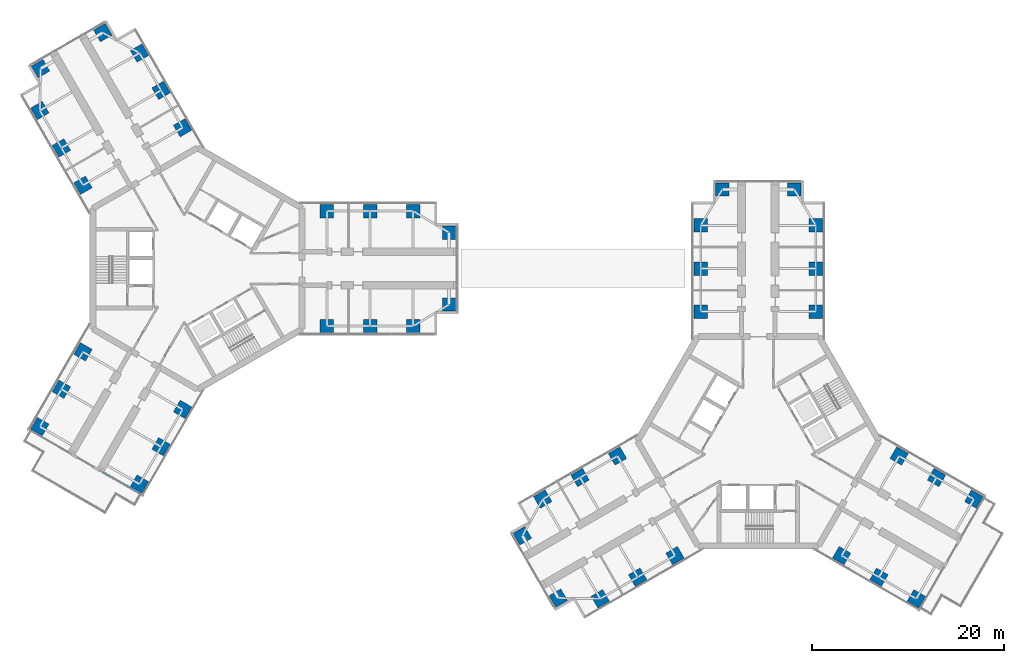
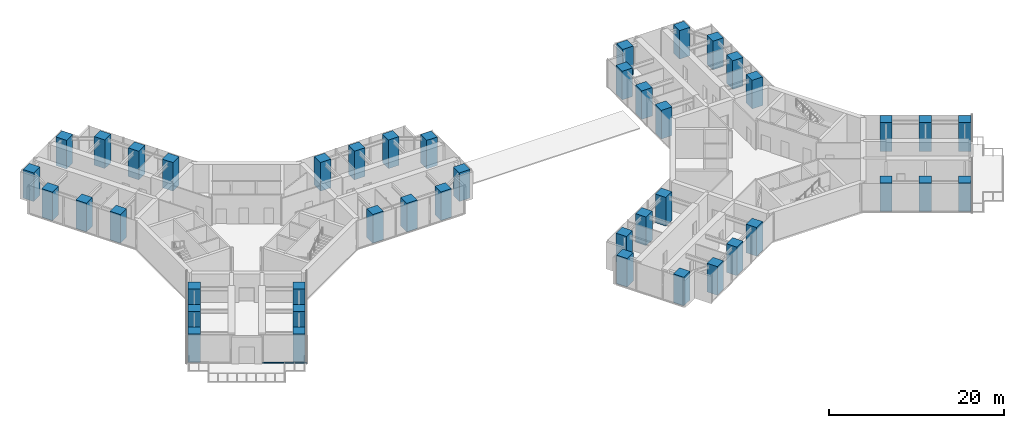
# One storey, part 1 of 22: 44 columns, 1 member, 1 element without a shape of its own.
"""IFC4 building model written with IfcOpenShell, lengths in metres."""

from ifc_helpers import new_model, si_unit, direction, frame, origin, origin_2d, place, context, subcontext, project, spatial, rectangle, extrude, material, material_profile, profile_set, type_object, element, aggregate, save


model = new_model("IFC4")

# Units and contexts
model_context = context("Model", 3, precision=1e-05, world=origin(), true_north=direction((0.0, 1.0)))
body_context = subcontext(model_context, "Body", "Model", "MODEL_VIEW")
ifc_project = project(units=[si_unit("LENGTHUNIT", "METRE"), si_unit("AREAUNIT", "SQUARE_METRE"), si_unit("VOLUMEUNIT", "CUBIC_METRE"), si_unit("PLANEANGLEUNIT", "RADIAN"), si_unit("MASSUNIT", "GRAM", prefix="KILO")], contexts=[model_context])

# Site, building, storey
site_placement = place(None, origin())
site = spatial("IfcSite", under=ifc_project, at=site_placement, CompositionType="ELEMENT")
building_placement = place(site_placement, origin())
building = spatial("IfcBuilding", under=site, at=building_placement, Name="Upepo Twin Towers", CompositionType="ELEMENT")
storey_placement = place(building_placement, frame((0.0, 0.0, 97.5)))
storey = spatial("IfcBuildingStorey", under=building, at=storey_placement, Name="L23", CompositionType="ELEMENT", Elevation=97.5)

# Columns
ifc_material_1 = material(Name="Concrete C60/75", Category="concrete")
ifc_material_profile_1 = material_profile(ifc_material_1, rectangle(XDim=1.39990234375, YDim=1.39990234375, at=origin_2d()), Name="RC 1400x1400")
ifc_profile_set_1 = profile_set([ifc_material_profile_1], Name="Concrete C60/75")
column_type = type_object("IfcColumnType", Name="Tower column RC 1400x1400", PredefinedType="COLUMN", material=ifc_profile_set_1)
for number, where, z_axis, x_axis, name in (
    (1, (13.5, 6.0, 0.0), (0.0, 0.0, 1.0), (1.0, 0.0, 0.0), "T1 column AL135"),
    (2, (13.5, -6.0, 0.0), (0.0, 0.0, 1.0), (1.0, 0.0, 0.0), "T1 column AR135"),
    (3, (18.0, 6.0, 0.0), (0.0, 0.0, 1.0), (1.0, 0.0, 0.0), "T1 column AL180"),
    (4, (18.0, -6.0, 0.0), (0.0, 0.0, 1.0), (1.0, 0.0, 0.0), "T1 column AR180"),
    (5, (22.5, 6.0, 0.0), (0.0, 0.0, 1.0), (1.0, 0.0, 0.0), "T1 column AL225"),
    (6, (22.5, -6.0, 0.0), (0.0, 0.0, 1.0), (1.0, 0.0, 0.0), "T1 column AR225"),
    (7, (26.25, 3.75, 0.0), (0.0, 0.0, 1.0), (1.0, 0.0, 0.0), "T1 column ALN"),
    (8, (26.25, -3.75, 0.0), (0.0, 0.0, 1.0), (1.0, 0.0, 0.0), "T1 column ARN"),
    (9, (-11.946044921875, 8.69140625, 0.0), (0.0, 0.0, 1.0), (0.866025403784, 0.5, 0.0), "T1 column BL135"),
    (10, (-1.553955078125, 14.69140625, 0.0), (0.0, 0.0, 1.0), (0.866025403784, 0.5, 0.0), "T1 column BR135"),
    (11, (-14.196044921875, 12.58837890625, 0.0), (0.0, 0.0, 1.0), (0.866025403784, 0.5, 0.0), "T1 column BL180"),
    (12, (-3.803955078125, 18.58837890625, 0.0), (0.0, 0.0, 1.0), (0.866025403784, 0.5, 0.0), "T1 column BR180"),
    (13, (-16.446044921875, 16.485595703125, 0.0), (0.0, 0.0, 1.0), (0.866025403784, 0.5, 0.0), "T1 column BL225"),
    (14, (-6.053955078125, 22.485595703125, 0.0), (0.0, 0.0, 1.0), (0.866025403784, 0.5, 0.0), "T1 column BR225"),
    (15, (-16.37255859375, 20.858154296875, 0.0), (0.0, 0.0, 1.0), (0.866025403784, 0.5, 0.0), "T1 column BLN"),
    (16, (-9.87744140625, 24.608154296875, 0.0), (0.0, 0.0, 1.0), (0.866025403784, 0.5, 0.0), "T1 column BRN"),
    (17, (-1.553955078125, -14.69140625, 0.0), (0.0, 0.0, 1.0), (0.5, 0.866025403784, 0.0), "T1 column CL135"),
    (18, (-11.946044921875, -8.69140625, 0.0), (0.0, 0.0, 1.0), (0.5, 0.866025403784, 0.0), "T1 column CR135"),
    (19, (-3.803955078125, -18.58837890625, 0.0), (0.0, 0.0, 1.0), (0.5, 0.866025403784, 0.0), "T1 column CL180"),
    (20, (-14.196044921875, -12.58837890625, 0.0), (0.0, 0.0, 1.0), (0.5, 0.866025403784, 0.0), "T1 column CR180"),
    (21, (-6.053955078125, -22.485595703125, 0.0), (0.0, 0.0, 1.0), (0.5, 0.866025403784, 0.0), "T1 column CL225"),
    (22, (-16.446044921875, -16.485595703125, 0.0), (0.0, 0.0, 1.0), (0.5, 0.866025403784, 0.0), "T1 column CR225"),
    (23, (52.5, -4.5, 0.0), (0.0, 0.0, 1.0), (1.0, 0.0, 0.0), "T2 column AL135"),
    (24, (64.5, -4.5, 0.0), (0.0, 0.0, 1.0), (1.0, 0.0, 0.0), "T2 column AR135"),
    (25, (52.5, 0.0, 0.0), (0.0, 0.0, 1.0), (1.0, 0.0, 0.0), "T2 column AL180"),
    (26, (64.5, 0.0, 0.0), (0.0, 0.0, 1.0), (1.0, 0.0, 0.0), "T2 column AR180"),
    (27, (52.5, 4.5, 0.0), (0.0, 0.0, 1.0), (1.0, 0.0, 0.0), "T2 column AL225"),
    (28, (64.5, 4.5, 0.0), (0.0, 0.0, 1.0), (1.0, 0.0, 0.0), "T2 column AR225"),
    (29, (54.75, 8.25, 0.0), (0.0, 0.0, 1.0), (1.0, 0.0, 0.0), "T2 column ALN"),
    (30, (62.25, 8.25, 0.0), (0.0, 0.0, 1.0), (1.0, 0.0, 0.0), "T2 column ARN"),
    (31, (49.80859375, -29.946044921875, 0.0), (0.0, 0.0, 1.0), (0.866025403784, 0.5, 0.0), "T2 column BL135"),
    (32, (43.80859375, -19.553955078125, 0.0), (0.0, 0.0, 1.0), (0.866025403784, 0.5, 0.0), "T2 column BR135"),
    (33, (45.91162109375, -32.196044921875, 0.0), (0.0, 0.0, 1.0), (0.866025403784, 0.5, 0.0), "T2 column BL180"),
    (34, (39.91162109375, -21.803955078125, 0.0), (0.0, 0.0, 1.0), (0.866025403784, 0.5, 0.0), "T2 column BR180"),
    (35, (42.014404296875, -34.446044921875, 0.0), (0.0, 0.0, 1.0), (0.866025403784, 0.5, 0.0), "T2 column BL225"),
    (36, (36.014404296875, -24.053955078125, 0.0), (0.0, 0.0, 1.0), (0.866025403784, 0.5, 0.0), "T2 column BR225"),
    (37, (37.641845703125, -34.37255859375, 0.0), (0.0, 0.0, 1.0), (0.866025403784, 0.5, 0.0), "T2 column BLN"),
    (38, (33.891845703125, -27.87744140625, 0.0), (0.0, 0.0, 1.0), (0.866025403784, 0.5, 0.0), "T2 column BRN"),
    (39, (73.19140625, -19.553955078125, 0.0), (0.0, 0.0, 1.0), (0.5, 0.866025403784, 0.0), "T2 column CL135"),
    (40, (67.19140625, -29.946044921875, 0.0), (0.0, 0.0, 1.0), (0.5, 0.866025403784, 0.0), "T2 column CR135"),
    (41, (77.08837890625, -21.803955078125, 0.0), (0.0, 0.0, 1.0), (0.5, 0.866025403784, 0.0), "T2 column CL180"),
    (42, (71.08837890625, -32.196044921875, 0.0), (0.0, 0.0, 1.0), (0.5, 0.866025403784, 0.0), "T2 column CR180"),
    (43, (80.985595703125, -24.053955078125, 0.0), (0.0, 0.0, 1.0), (0.5, 0.866025403784, 0.0), "T2 column CL225"),
    (44, (74.985595703125, -34.446044921875, 0.0), (0.0, 0.0, 1.0), (0.5, 0.866025403784, 0.0), "T2 column CR225"),
):
    element("IfcColumn", number, at=place(storey_placement, frame(where, z_axis=z_axis, x_axis=x_axis)), inside=storey, type_object=column_type, Name=name, PredefinedType="COLUMN", context=body_context, shape_type="SweptSolid", body=[
        extrude(rectangle(XDim=1.39990234375, YDim=1.39990234375, at=origin_2d()), origin(), (0.0, 0.0, 1.0), 4.0),
    ])

# Curtain wall, member
ifc_material_2 = material(Name="Aluminium and fritted glass", Category="aluminium")
curtain_wall_type = type_object("IfcCurtainWallType", Name="Tower curtain wall TW2, fritted glass", PredefinedType="NOTDEFINED", material=ifc_material_2)
curtain_wall_placement = place(storey_placement, origin())
curtain_wall = element("IfcCurtainWall", 45, at=curtain_wall_placement, inside=storey, type_object=curtain_wall_type, Name="T1 L23 wing C nose curtain wall 2", PredefinedType="NOTDEFINED")
ifc_material_3 = material(Name="Aluminium transom", Category="aluminium")
ifc_material_profile_2 = material_profile(ifc_material_3, rectangle(XDim=0.06494140625, YDim=0.14990234375, at=origin_2d()), Name="TRANSOM 65x150")
ifc_profile_set_2 = profile_set([ifc_material_profile_2], Name="Aluminium transom")
member_type = type_object("IfcMemberType", Name="Transom 65x150 TW2", PredefinedType="USERDEFINED", material=ifc_profile_set_2)
member_placement = place(storey_placement, frame((-10.103271484375, -21.129150390625, 0.074951171875), z_axis=(0.866017993231, -0.500012835235, 0.0), x_axis=(0.500012835235, 0.866017993231, 0.0)))
member = element("IfcMember", 46, at=member_placement, type_object=member_type, Name="T1 L23 wing C nose curtain wall 2 transom 1", ObjectType="TRANSOM", PredefinedType="USERDEFINED", context=body_context, shape_type="SweptSolid", body=[
    extrude(rectangle(XDim=0.06494140625, YDim=0.14990234375, at=origin_2d()), origin(), (0.0, 0.0, 1.0), 5.070068359375),
])
aggregate(curtain_wall, [member])

save(model, "model.ifc")
